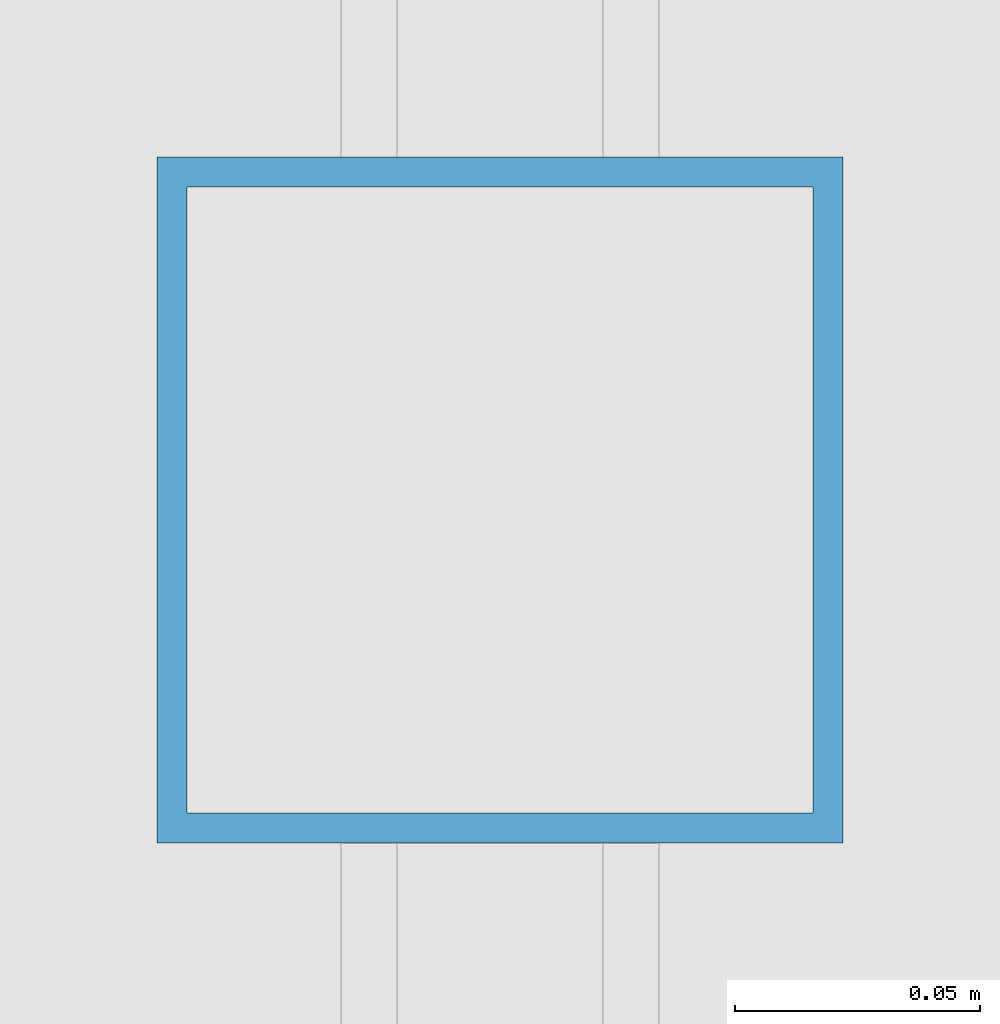
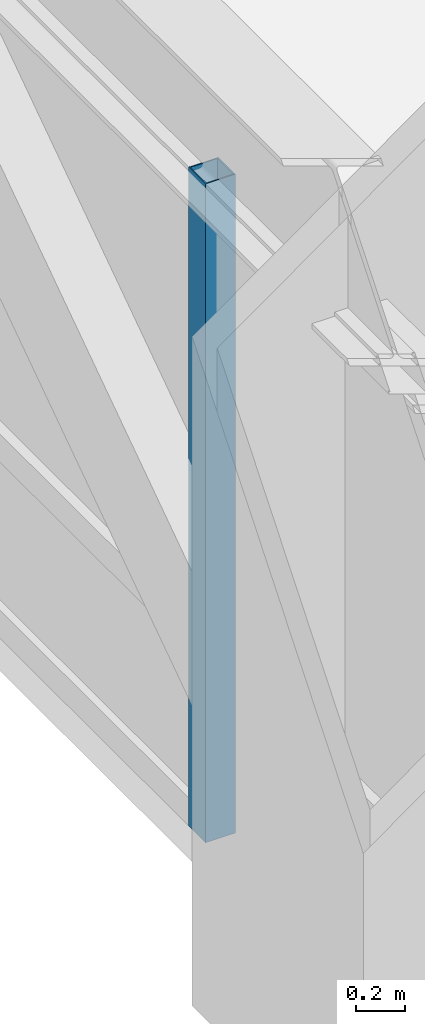
# One storey, part 6 of 31: 1 member, 1 element without a shape of its own.
"""IFC4 building model written with IfcOpenShell, lengths in metres."""

from ifc_helpers import new_model, si_unit, direction, frame, origin, origin_2d, place, context, subcontext, project, spatial, hollow_rectangle, extrude, source, transform, mapped, material, material_profile, profile_set, type_object, element, aggregate, save


model = new_model("IFC4")

# Units and contexts
model_context = context("Model", 3, precision=1e-05, world=origin(), true_north=direction((0.0, 1.0)))
body_context = subcontext(model_context, "Body", "Model", "MODEL_VIEW")
ifc_project = project(units=[si_unit("LENGTHUNIT", "METRE"), si_unit("AREAUNIT", "SQUARE_METRE"), si_unit("VOLUMEUNIT", "CUBIC_METRE"), si_unit("PLANEANGLEUNIT", "RADIAN"), si_unit("MASSUNIT", "GRAM", prefix="KILO")], contexts=[model_context])

# Site, building, storey
site_placement = place(None, origin())
site = spatial("IfcSite", under=ifc_project, at=site_placement, CompositionType="ELEMENT")
building_placement = place(site_placement, origin())
building = spatial("IfcBuilding", under=site, at=building_placement, Name="Khorayat Bourse Tower", CompositionType="ELEMENT")
storey_placement = place(building_placement, frame((0.0, 0.0, 36.800048828125)))
storey = spatial("IfcBuildingStorey", under=building, at=storey_placement, Name="L07", CompositionType="ELEMENT", Elevation=36.800048828125)

# Curtain wall, member
ifc_material = material(Name="Aluminium EN AW-6063 T6", Category="aluminium")
curtain_wall_type = type_object("IfcCurtainWallType", Name="CW-SYS-02", PredefinedType="NOTDEFINED", material=ifc_material)
curtain_wall_placement = place(storey_placement, origin())
curtain_wall = element("IfcCurtainWall", 1, at=curtain_wall_placement, inside=storey, type_object=curtain_wall_type, Name="L07 Curtain Wall CW-L07-W1", PredefinedType="NOTDEFINED")
ifc_material_profile = material_profile(ifc_material, hollow_rectangle(XDim=0.139892578125, YDim=0.139892578125, WallThickness=0.006103515625, at=origin_2d()), Name="ALU 140x140x6")
ifc_profile_set = profile_set([ifc_material_profile], Name="Aluminium EN AW-6063 T6")
member_type = type_object("IfcMemberType", Name="CWM-VERT-140", PredefinedType="MULLION", material=ifc_profile_set)
shared_shape = source(origin(), body_context, "Body", "SweptSolid", [
    extrude(hollow_rectangle(XDim=0.139892578125, YDim=0.139892578125, WallThickness=0.006103515625, at=origin_2d()), origin(), (0.0, 0.0, 1.0), 3.2900390625),
])
member_placement = place(storey_placement, frame((-32.0, -9.25, 0.0), z_axis=(0.0, 0.0, 1.0), x_axis=(-1.0, 0.0, 0.0)))
member = element("IfcMember", 2, at=member_placement, type_object=member_type, Name="CW-L07-W1 Vertical Mullion 2", PredefinedType="MULLION", context=body_context, shape_type="MappedRepresentation", body=[
    mapped(shared_shape, transform((0.0, 0.0, 0.0), scale=1.0)),
])
aggregate(curtain_wall, [member])

save(model, "model.ifc")
